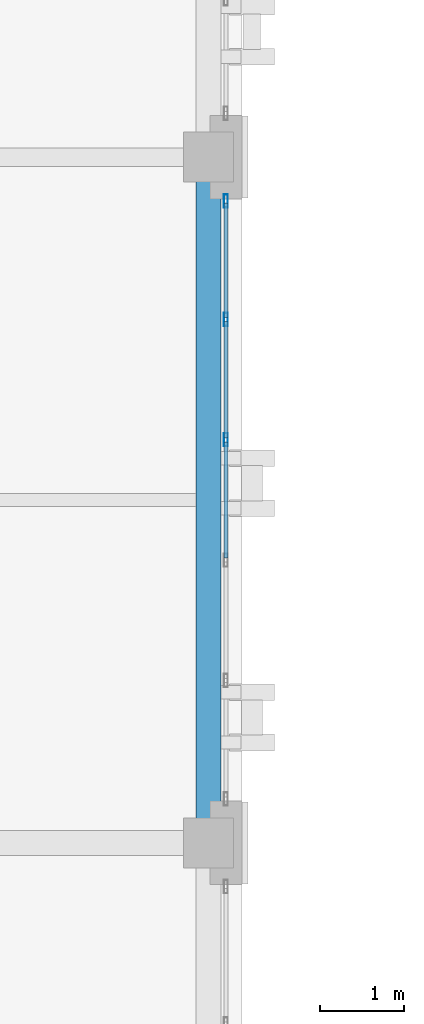
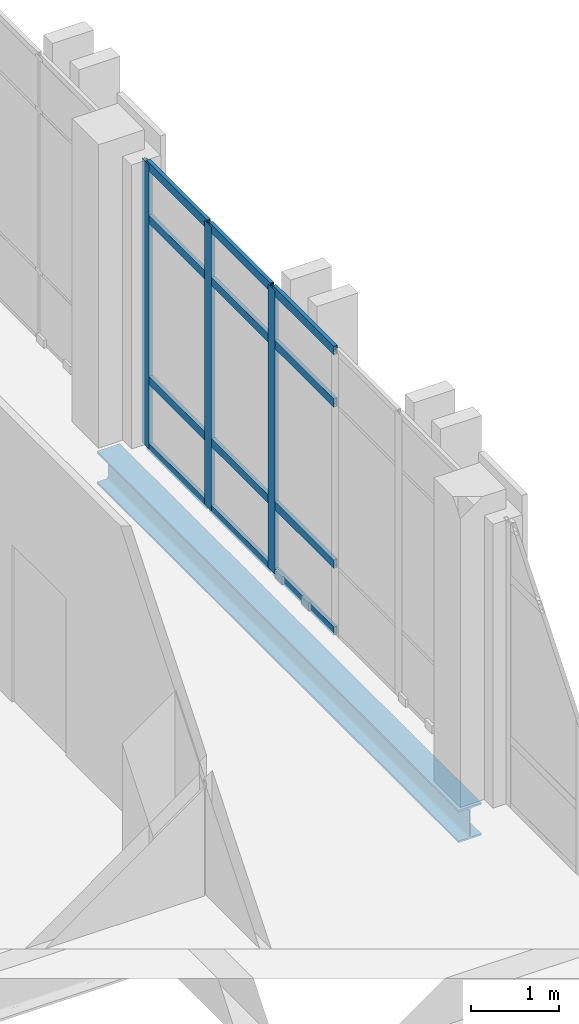
# One storey, part 35 of 90: 15 members, 1 beam, 1 element without a shape of its own.
"""IFC4 building model written with IfcOpenShell, lengths in metres."""

from ifc_helpers import new_model, si_unit, direction, frame, origin, origin_2d, place, context, subcontext, project, spatial, hollow_rectangle, i_section, extrude, material, layer, layer_set, material_profile, profile_set, type_object, element, aggregate, save


model = new_model("IFC4")

# Units and contexts
model_context = context("Model", 3, precision=1e-05, world=origin(), true_north=direction((0.0, 1.0)))
body_context = subcontext(model_context, "Body", "Model", "MODEL_VIEW")
ifc_project = project(units=[si_unit("LENGTHUNIT", "METRE"), si_unit("AREAUNIT", "SQUARE_METRE"), si_unit("VOLUMEUNIT", "CUBIC_METRE"), si_unit("PLANEANGLEUNIT", "RADIAN"), si_unit("MASSUNIT", "GRAM", prefix="KILO")], contexts=[model_context])

# Site, building, storey
site_placement = place(None, origin())
site = spatial("IfcSite", under=ifc_project, at=site_placement, CompositionType="ELEMENT")
building_placement = place(site_placement, origin())
building = spatial("IfcBuilding", under=site, at=building_placement, Name="Qalavern Law Courts", CompositionType="ELEMENT")
storey_placement = place(building_placement, frame((0.0, 0.0, 22.800048828125)))
storey = spatial("IfcBuildingStorey", under=building, at=storey_placement, Name="L05", CompositionType="ELEMENT", Elevation=22.800048828125)

# Curtain wall, members
ifc_material_1 = material(Name="Anodised aluminium and insulated glazing", Category="aluminium")
ifc_layer = layer(ifc_material_1, 0.159912109375)
ifc_layer_set = layer_set([ifc_layer], Name="Anodised aluminium and insulated glazing")
curtain_wall_type = type_object("IfcCurtainWallType", Name="ENV-CW-CHAMB", PredefinedType="USERDEFINED", material=ifc_layer_set)
curtain_wall_placement = place(storey_placement, origin())
curtain_wall = element("IfcCurtainWall", 1, at=curtain_wall_placement, inside=storey, type_object=curtain_wall_type, Name="V3 unitised curtain wall L05 east 6", ObjectType="UNITISED CURTAIN WALL", PredefinedType="USERDEFINED")
ifc_material_2 = material(Name="Anodised aluminium", Category="aluminium")
ifc_material_profile_1 = material_profile(ifc_material_2, hollow_rectangle(XDim=0.048095703125, YDim=0.159912109375, WallThickness=0.00390625, at=origin_2d()), Name="ALU MULLION 48x160")
ifc_profile_set_1 = profile_set([ifc_material_profile_1], Name="Anodised aluminium")
member_type_1 = type_object("IfcMemberType", Name="ENV-CWM-48x160", PredefinedType="MULLION", material=ifc_profile_set_1)
member_1_placement = place(storey_placement, frame((18.607421875, 84.219970703125, 0.0), z_axis=(0.0, 0.0, 1.0), x_axis=(-1.0, 0.0, 0.0)))
member_1 = element("IfcMember", 2, at=member_1_placement, type_object=member_type_1, Name="CW-04 mullion 4", PredefinedType="MULLION", context=body_context, shape_type="SweptSolid", body=[
    extrude(hollow_rectangle(XDim=0.048095703125, YDim=0.159912109375, WallThickness=0.00390625, at=origin_2d()), origin(), (0.0, 0.0, 1.0), 3.929931640625),
])
member_2_placement = place(storey_placement, frame((18.607421875, 85.659912109375, 0.0), z_axis=(0.0, 0.0, 1.0), x_axis=(-1.0, 0.0, 0.0)))
member_2 = element("IfcMember", 3, at=member_2_placement, type_object=member_type_1, Name="CW-04 mullion 5", PredefinedType="MULLION", context=body_context, shape_type="SweptSolid", body=[
    extrude(hollow_rectangle(XDim=0.048095703125, YDim=0.159912109375, WallThickness=0.00390625, at=origin_2d()), origin(), (0.0, 0.0, 1.0), 3.929931640625),
])
member_3_placement = place(storey_placement, frame((18.607421875, 87.075927734375, 0.0), z_axis=(0.0, 0.0, 1.0), x_axis=(-1.0, 0.0, 0.0)))
member_3 = element("IfcMember", 4, at=member_3_placement, type_object=member_type_1, Name="CW-04 mullion 6", PredefinedType="MULLION", context=body_context, shape_type="SweptSolid", body=[
    extrude(hollow_rectangle(XDim=0.048095703125, YDim=0.159912109375, WallThickness=0.00390625, at=origin_2d()), origin(), (0.0, 0.0, 1.0), 3.929931640625),
])
ifc_material_profile_2 = material_profile(ifc_material_2, hollow_rectangle(XDim=0.048095703125, YDim=0.1201171875, WallThickness=0.00390625, at=origin_2d()), Name="ALU TRANSOM 48x120")
ifc_profile_set_2 = profile_set([ifc_material_profile_2], Name="Anodised aluminium")
member_type_2 = type_object("IfcMemberType", Name="ENV-CWT-48x120", PredefinedType="USERDEFINED", material=ifc_profile_set_2)
member_4_placement = place(storey_placement, frame((18.607421875, 82.803955078125, 0.02392578125), z_axis=(0.0, 1.0, 0.0), x_axis=(-1.0, 0.0, 0.0)))
member_4 = element("IfcMember", 5, at=member_4_placement, type_object=member_type_2, Name="CW-04 transom 3.1", ObjectType="TRANSOM", PredefinedType="USERDEFINED", context=body_context, shape_type="SweptSolid", body=[
    extrude(hollow_rectangle(XDim=0.048095703125, YDim=0.1201171875, WallThickness=0.00390625, at=origin_2d()), origin(), (0.0, 0.0, 1.0), 1.39208984375),
])
member_5_placement = place(storey_placement, frame((18.607421875, 82.803955078125, 0.949951171875), z_axis=(0.0, 1.0, 0.0), x_axis=(-1.0, 0.0, 0.0)))
member_5 = element("IfcMember", 6, at=member_5_placement, type_object=member_type_2, Name="CW-04 transom 3.2", ObjectType="TRANSOM", PredefinedType="USERDEFINED", context=body_context, shape_type="SweptSolid", body=[
    extrude(hollow_rectangle(XDim=0.048095703125, YDim=0.1201171875, WallThickness=0.00390625, at=origin_2d()), origin(), (0.0, 0.0, 1.0), 1.39208984375),
])
member_6_placement = place(storey_placement, frame((18.607421875, 82.803955078125, 3.179931640625), z_axis=(0.0, 1.0, 0.0), x_axis=(-1.0, 0.0, 0.0)))
member_6 = element("IfcMember", 7, at=member_6_placement, type_object=member_type_2, Name="CW-04 transom 3.3", ObjectType="TRANSOM", PredefinedType="USERDEFINED", context=body_context, shape_type="SweptSolid", body=[
    extrude(hollow_rectangle(XDim=0.048095703125, YDim=0.1201171875, WallThickness=0.00390625, at=origin_2d()), origin(), (0.0, 0.0, 1.0), 1.39208984375),
])
member_7_placement = place(storey_placement, frame((18.607421875, 82.803955078125, 3.906005859375), z_axis=(0.0, 1.0, 0.0), x_axis=(-1.0, 0.0, 0.0)))
member_7 = element("IfcMember", 8, at=member_7_placement, type_object=member_type_2, Name="CW-04 transom 3.4", ObjectType="TRANSOM", PredefinedType="USERDEFINED", context=body_context, shape_type="SweptSolid", body=[
    extrude(hollow_rectangle(XDim=0.048095703125, YDim=0.1201171875, WallThickness=0.00390625, at=origin_2d()), origin(), (0.0, 0.0, 1.0), 1.39208984375),
])
member_8_placement = place(storey_placement, frame((18.607421875, 84.243896484375, 0.02392578125), z_axis=(0.0, 1.0, 0.0), x_axis=(-1.0, 0.0, 0.0)))
member_8 = element("IfcMember", 9, at=member_8_placement, type_object=member_type_2, Name="CW-04 transom 4.1", ObjectType="TRANSOM", PredefinedType="USERDEFINED", context=body_context, shape_type="SweptSolid", body=[
    extrude(hollow_rectangle(XDim=0.048095703125, YDim=0.1201171875, WallThickness=0.00390625, at=origin_2d()), origin(), (0.0, 0.0, 1.0), 1.39208984375),
])
member_9_placement = place(storey_placement, frame((18.607421875, 84.243896484375, 0.949951171875), z_axis=(0.0, 1.0, 0.0), x_axis=(-1.0, 0.0, 0.0)))
member_9 = element("IfcMember", 10, at=member_9_placement, type_object=member_type_2, Name="CW-04 transom 4.2", ObjectType="TRANSOM", PredefinedType="USERDEFINED", context=body_context, shape_type="SweptSolid", body=[
    extrude(hollow_rectangle(XDim=0.048095703125, YDim=0.1201171875, WallThickness=0.00390625, at=origin_2d()), origin(), (0.0, 0.0, 1.0), 1.39208984375),
])
member_10_placement = place(storey_placement, frame((18.607421875, 84.243896484375, 3.179931640625), z_axis=(0.0, 1.0, 0.0), x_axis=(-1.0, 0.0, 0.0)))
member_10 = element("IfcMember", 11, at=member_10_placement, type_object=member_type_2, Name="CW-04 transom 4.3", ObjectType="TRANSOM", PredefinedType="USERDEFINED", context=body_context, shape_type="SweptSolid", body=[
    extrude(hollow_rectangle(XDim=0.048095703125, YDim=0.1201171875, WallThickness=0.00390625, at=origin_2d()), origin(), (0.0, 0.0, 1.0), 1.39208984375),
])
member_11_placement = place(storey_placement, frame((18.607421875, 84.243896484375, 3.906005859375), z_axis=(0.0, 1.0, 0.0), x_axis=(-1.0, 0.0, 0.0)))
member_11 = element("IfcMember", 12, at=member_11_placement, type_object=member_type_2, Name="CW-04 transom 4.4", ObjectType="TRANSOM", PredefinedType="USERDEFINED", context=body_context, shape_type="SweptSolid", body=[
    extrude(hollow_rectangle(XDim=0.048095703125, YDim=0.1201171875, WallThickness=0.00390625, at=origin_2d()), origin(), (0.0, 0.0, 1.0), 1.39208984375),
])
member_12_placement = place(storey_placement, frame((18.607421875, 85.68408203125, 0.02392578125), z_axis=(0.0, 1.0, 0.0), x_axis=(-1.0, 0.0, 0.0)))
member_12 = element("IfcMember", 13, at=member_12_placement, type_object=member_type_2, Name="CW-04 transom 5.1", ObjectType="TRANSOM", PredefinedType="USERDEFINED", context=body_context, shape_type="SweptSolid", body=[
    extrude(hollow_rectangle(XDim=0.048095703125, YDim=0.1201171875, WallThickness=0.00390625, at=origin_2d()), origin(), (0.0, 0.0, 1.0), 1.367919921875),
])
member_13_placement = place(storey_placement, frame((18.607421875, 85.68408203125, 0.949951171875), z_axis=(0.0, 1.0, 0.0), x_axis=(-1.0, 0.0, 0.0)))
member_13 = element("IfcMember", 14, at=member_13_placement, type_object=member_type_2, Name="CW-04 transom 5.2", ObjectType="TRANSOM", PredefinedType="USERDEFINED", context=body_context, shape_type="SweptSolid", body=[
    extrude(hollow_rectangle(XDim=0.048095703125, YDim=0.1201171875, WallThickness=0.00390625, at=origin_2d()), origin(), (0.0, 0.0, 1.0), 1.367919921875),
])
member_14_placement = place(storey_placement, frame((18.607421875, 85.68408203125, 3.179931640625), z_axis=(0.0, 1.0, 0.0), x_axis=(-1.0, 0.0, 0.0)))
member_14 = element("IfcMember", 15, at=member_14_placement, type_object=member_type_2, Name="CW-04 transom 5.3", ObjectType="TRANSOM", PredefinedType="USERDEFINED", context=body_context, shape_type="SweptSolid", body=[
    extrude(hollow_rectangle(XDim=0.048095703125, YDim=0.1201171875, WallThickness=0.00390625, at=origin_2d()), origin(), (0.0, 0.0, 1.0), 1.367919921875),
])
member_15_placement = place(storey_placement, frame((18.607421875, 85.68408203125, 3.906005859375), z_axis=(0.0, 1.0, 0.0), x_axis=(-1.0, 0.0, 0.0)))
member_15 = element("IfcMember", 16, at=member_15_placement, type_object=member_type_2, Name="CW-04 transom 5.4", ObjectType="TRANSOM", PredefinedType="USERDEFINED", context=body_context, shape_type="SweptSolid", body=[
    extrude(hollow_rectangle(XDim=0.048095703125, YDim=0.1201171875, WallThickness=0.00390625, at=origin_2d()), origin(), (0.0, 0.0, 1.0), 1.367919921875),
])
aggregate(curtain_wall, [member_1, member_2, member_3, member_4, member_5, member_6, member_7, member_8, member_9, member_10, member_11, member_12, member_13, member_14, member_15])

# Beam
ifc_material_3 = material(Name="Steel S355", Category="steel")
ifc_material_profile_3 = material_profile(ifc_material_3, i_section(OverallWidth=0.300048828125, OverallDepth=0.449951171875, WebThickness=0.013916015625, FlangeThickness=0.02587890625, FilletRadius=0.027099609375, at=origin_2d()), Name="HEB 450")
ifc_profile_set_3 = profile_set([ifc_material_profile_3], Name="Steel S355")
beam_type = type_object("IfcBeamType", Name="STR-SP-HEB450", PredefinedType="SPANDREL", material=ifc_profile_set_3)
beam_placement = place(storey_placement, frame((18.39990234375, 79.39990234375, -0.5), z_axis=(0.0, 1.0, 0.0), x_axis=(-1.0, 0.0, 0.0)))
element("IfcBeam", 17, at=beam_placement, inside=storey, type_object=beam_type, Name="V3 Y-beam 3-6 L05", PredefinedType="SPANDREL", context=body_context, shape_type="SweptSolid", body=[
    extrude(i_section(OverallWidth=0.300048828125, OverallDepth=0.449951171875, WebThickness=0.013916015625, FlangeThickness=0.02587890625, FilletRadius=0.027099609375, at=origin_2d()), origin(), (0.0, 0.0, 1.0), 8.2001953125),
])

save(model, "model.ifc")
